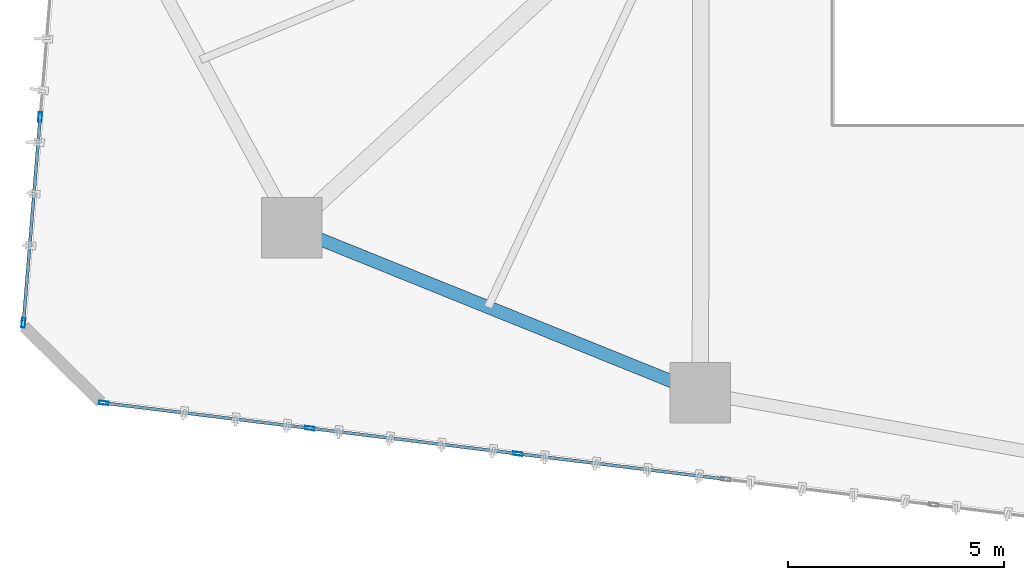
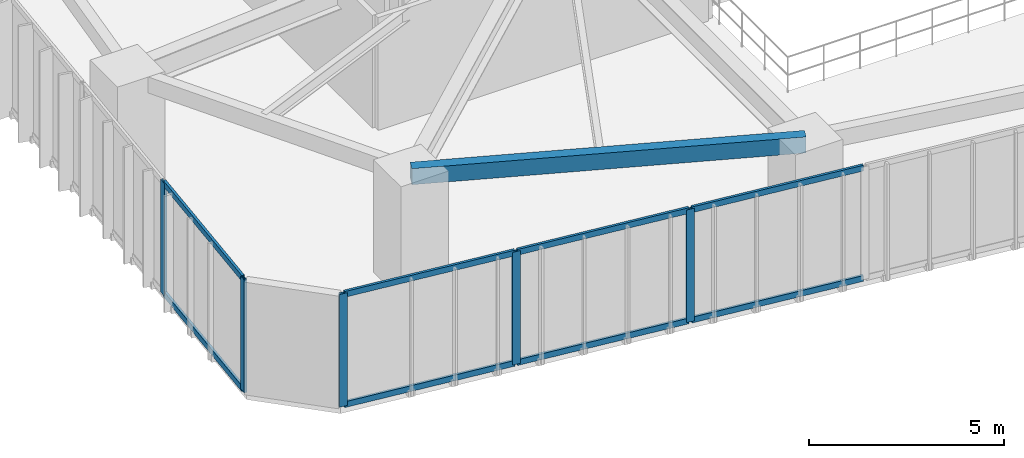
# One storey, part 2 of 23: 13 members, 1 beam, 2 elements without a shape of their own.
"""IFC4 building model written with IfcOpenShell, lengths in metres."""

from ifc_helpers import new_model, si_unit, direction, frame, origin, origin_2d, place, context, subcontext, project, spatial, hollow_rectangle, extrude, source, transform, mapped, material, layer, layer_set, material_profile, profile_set, type_object, type_shapes, element, aggregate, save


model = new_model("IFC4")

# Units and contexts
model_context = context("Model", 3, precision=1e-05, world=origin(), true_north=direction((0.0, 1.0)))
body_context = subcontext(model_context, "Body", "Model", "MODEL_VIEW")
ifc_project = project(units=[si_unit("LENGTHUNIT", "METRE"), si_unit("AREAUNIT", "SQUARE_METRE"), si_unit("VOLUMEUNIT", "CUBIC_METRE"), si_unit("PLANEANGLEUNIT", "RADIAN"), si_unit("MASSUNIT", "GRAM", prefix="KILO")], contexts=[model_context])

# Site, building, storey
site_placement = place(None, origin())
site = spatial("IfcSite", under=ifc_project, at=site_placement, CompositionType="ELEMENT")
building_placement = place(site_placement, origin())
building = spatial("IfcBuilding", under=site, at=building_placement, Name="Talar Marvaseh", CompositionType="ELEMENT")
storey_placement = place(building_placement, frame((0.0, 0.0, 69.60009765625)))
storey = spatial("IfcBuildingStorey", under=building, at=storey_placement, Name="L17", CompositionType="ELEMENT", Elevation=69.60009765625)

# Beam
ifc_material_1 = material(Name="Steel S355", Category="steel")
ifc_material_profile_1 = material_profile(ifc_material_1, hollow_rectangle(XDim=0.300048828125, YDim=0.5, WallThickness=0.02001953125, at=origin_2d()), Name="RHS500x300x20")
ifc_profile_set_1 = profile_set([ifc_material_profile_1], Name="Steel S355")
beam_type = type_object("IfcBeamType", Name="Zone 1 Perimeter Spandrel Beam RHS500x300x20", PredefinedType="SPANDREL", material=ifc_profile_set_1)
beam_placement = place(storey_placement, frame((18.68310546875, 12.97900390625, 3.27001953125), z_axis=(-0.927239278118, 0.374469386084, 0.0), x_axis=(-0.374469386084, -0.927239278118, 0.0)))
element("IfcBeam", 1, at=beam_placement, inside=storey, type_object=beam_type, Name="L17 Zone 1 Perimeter Spandrel Beam RHS500x300x20", PredefinedType="SPANDREL", context=body_context, shape_type="SweptSolid", body=[
    extrude(hollow_rectangle(XDim=0.300048828125, YDim=0.5, WallThickness=0.02001953125, at=origin_2d()), origin(), (0.0, 0.0, 1.0), 10.19287109375),
])

# Curtain wall, members
ifc_material_2 = material(Name="Architectural Aluminium", Category="aluminium")
ifc_layer = layer(ifc_material_2, 0.219970703125)
ifc_layer_set = layer_set([ifc_layer], Name="Architectural Aluminium")
curtain_wall_type = type_object("IfcCurtainWallType", Name="Unitised Low-E Museum Curtain Wall Z1", PredefinedType="NOTDEFINED", material=ifc_layer_set)
curtain_wall_1_placement = place(storey_placement, origin())
curtain_wall_1 = element("IfcCurtainWall", 2, at=curtain_wall_1_placement, inside=storey, type_object=curtain_wall_type, Name="L17 Unitised Low-E Museum Curtain Wall Z1", PredefinedType="NOTDEFINED")
ifc_material_profile_2 = material_profile(ifc_material_2, hollow_rectangle(XDim=0.080078125, YDim=0.219970703125, WallThickness=0.0048828125, at=origin_2d()), Name="RHS220x80x5")
ifc_profile_set_2 = profile_set([ifc_material_profile_2], Name="Architectural Aluminium")
member_type_1 = type_object("IfcMemberType", Name="Unitised Curtain Wall Heavy Mullion RHS220x80x5", PredefinedType="MULLION", material=ifc_profile_set_2)
shared_shape_1 = source(origin(), body_context, "Body", "SweptSolid", [
    extrude(hollow_rectangle(XDim=0.080078125, YDim=0.219970703125, WallThickness=0.0048828125, at=origin_2d()), origin(), (0.0, 0.0, 1.0), 3.52001953125),
])
type_shapes(member_type_1, [shared_shape_1])
member_1_placement = place(storey_placement, frame((3.02294921875, 14.599365234375, 0.0), z_axis=(0.0, 0.0, 1.0), x_axis=(-0.996703041053, 0.081135984349, 0.0)))
member_1 = element("IfcMember", 3, at=member_1_placement, type_object=member_type_1, Name="CW-Z1 mullion 1", PredefinedType="MULLION", context=body_context, shape_type="MappedRepresentation", body=[
    mapped(shared_shape_1, transform((0.0, 0.0, 0.0), x_axis=(1.0, 0.0, 0.0), y_axis=(0.0, 1.0, 0.0), z_axis=(0.0, 0.0, 1.0), scale=1.0)),
])
member_2_placement = place(storey_placement, frame((3.410400390625, 19.360107421875, 0.0), z_axis=(0.0, 0.0, 1.0), x_axis=(-0.996703041053, 0.081135984349, 0.0)))
member_2 = element("IfcMember", 4, at=member_2_placement, type_object=member_type_1, Name="CW-Z1 mullion 2", PredefinedType="MULLION", context=body_context, shape_type="MappedRepresentation", body=[
    mapped(shared_shape_1, transform((0.0, 0.0, 0.0), x_axis=(1.0, 0.0, 0.0), y_axis=(0.0, 1.0, 0.0), z_axis=(0.0, 0.0, 1.0), scale=1.0)),
])

curtain_wall_2_placement = place(storey_placement, origin())
curtain_wall_2 = element("IfcCurtainWall", 5, at=curtain_wall_2_placement, inside=storey, type_object=curtain_wall_type, Name="L17 Unitised Low-E Museum Curtain Wall Z1", PredefinedType="NOTDEFINED")
member_3_placement = place(storey_placement, frame((14.46044921875, 11.572021484375, 0.0), z_axis=(0.0, 0.0, 1.0), x_axis=(-0.121712736954, -0.992565367955, 0.0)))
member_3 = element("IfcMember", 6, at=member_3_placement, type_object=member_type_1, Name="CW-Z1 mullion 4", PredefinedType="MULLION", context=body_context, shape_type="MappedRepresentation", body=[
    mapped(shared_shape_1, transform((0.0, 0.0, 0.0), x_axis=(1.0, 0.0, 0.0), y_axis=(0.0, 1.0, 0.0), z_axis=(0.0, 0.0, 1.0), scale=1.0)),
])
member_4_placement = place(storey_placement, frame((9.651123046875, 12.161865234375, 0.0), z_axis=(0.0, 0.0, 1.0), x_axis=(-0.121712736954, -0.992565367955, 0.0)))
member_4 = element("IfcMember", 7, at=member_4_placement, type_object=member_type_1, Name="CW-Z1 mullion 5", PredefinedType="MULLION", context=body_context, shape_type="MappedRepresentation", body=[
    mapped(shared_shape_1, transform((0.0, 0.0, 0.0), x_axis=(1.0, 0.0, 0.0), y_axis=(0.0, 1.0, 0.0), z_axis=(0.0, 0.0, 1.0), scale=1.0)),
])
member_5_placement = place(storey_placement, frame((4.88134765625, 12.746826171875, 0.0), z_axis=(0.0, 0.0, 1.0), x_axis=(-0.121712736954, -0.992565367955, 0.0)))
member_5 = element("IfcMember", 8, at=member_5_placement, type_object=member_type_1, Name="CW-Z1 mullion 6", PredefinedType="MULLION", context=body_context, shape_type="MappedRepresentation", body=[
    mapped(shared_shape_1, transform((0.0, 0.0, 0.0), x_axis=(1.0, 0.0, 0.0), y_axis=(0.0, 1.0, 0.0), z_axis=(0.0, 0.0, 1.0), scale=1.0)),
])
ifc_material_profile_3 = material_profile(ifc_material_2, hollow_rectangle(XDim=0.074951171875, YDim=0.179931640625, WallThickness=0.0048828125, at=origin_2d()), Name="RHS180x75x5")
ifc_profile_set_3 = profile_set([ifc_material_profile_3], Name="Architectural Aluminium")
member_type_2 = type_object("IfcMemberType", Name="Unitised Curtain Wall Transom RHS180x75x5", PredefinedType="USERDEFINED", material=ifc_profile_set_3)
shared_shape_2 = source(origin(), body_context, "Body", "SweptSolid", [
    extrude(hollow_rectangle(XDim=0.074951171875, YDim=0.179931640625, WallThickness=0.0048828125, at=origin_2d()), origin(), (0.0, 0.0, 1.0), 4.725341796875),
])
member_6_placement = place(storey_placement, frame((9.611328125, 12.166748046875, 0.037353515625), z_axis=(-0.992563728983, 0.121726101998, 0.0), x_axis=(-0.121726101998, -0.992563728983, 0.0)))
member_6 = element("IfcMember", 9, at=member_6_placement, type_object=member_type_2, Name="CW-Z1 transom 5.1", ObjectType="TRANSOM", PredefinedType="USERDEFINED", context=body_context, shape_type="MappedRepresentation", body=[
    mapped(shared_shape_2, transform((0.0, 0.0, 0.0), x_axis=(1.0, 0.0, 0.0), y_axis=(0.0, 1.0, 0.0), z_axis=(0.0, 0.0, 1.0), scale=1.0)),
])
member_7_placement = place(storey_placement, frame((9.611328125, 12.166748046875, 3.482421875), z_axis=(-0.992563728983, 0.121726101998, 0.0), x_axis=(-0.121726101998, -0.992563728983, 0.0)))
member_7 = element("IfcMember", 10, at=member_7_placement, type_object=member_type_2, Name="CW-Z1 transom 5.2", ObjectType="TRANSOM", PredefinedType="USERDEFINED", context=body_context, shape_type="MappedRepresentation", body=[
    mapped(shared_shape_2, transform((0.0, 0.0, 0.0), x_axis=(1.0, 0.0, 0.0), y_axis=(0.0, 1.0, 0.0), z_axis=(0.0, 0.0, 1.0), scale=1.0)),
])
shared_shape_3 = source(origin(), body_context, "Body", "SweptSolid", [
    extrude(hollow_rectangle(XDim=0.074951171875, YDim=0.179931640625, WallThickness=0.0048828125, at=origin_2d()), origin(), (0.0, 0.0, 1.0), 4.765380859375),
])
member_8_placement = place(storey_placement, frame((19.22998046875, 10.9873046875, 0.037353515625), z_axis=(-0.992569855765, 0.121676133346, 0.0), x_axis=(-0.121676133346, -0.992569855765, 0.0)))
member_8 = element("IfcMember", 11, at=member_8_placement, type_object=member_type_2, Name="CW-Z1 transom 3.1", ObjectType="TRANSOM", PredefinedType="USERDEFINED", context=body_context, shape_type="MappedRepresentation", body=[
    mapped(shared_shape_3, transform((0.0, 0.0, 0.0), x_axis=(1.0, 0.0, 0.0), y_axis=(0.0, 1.0, 0.0), z_axis=(0.0, 0.0, 1.0), scale=1.0)),
])
member_9_placement = place(storey_placement, frame((19.22998046875, 10.9873046875, 3.482421875), z_axis=(-0.992569855765, 0.121676133346, 0.0), x_axis=(-0.121676133346, -0.992569855765, 0.0)))
member_9 = element("IfcMember", 12, at=member_9_placement, type_object=member_type_2, Name="CW-Z1 transom 3.2", ObjectType="TRANSOM", PredefinedType="USERDEFINED", context=body_context, shape_type="MappedRepresentation", body=[
    mapped(shared_shape_3, transform((0.0, 0.0, 0.0), x_axis=(1.0, 0.0, 0.0), y_axis=(0.0, 1.0, 0.0), z_axis=(0.0, 0.0, 1.0), scale=1.0)),
])
member_10_placement = place(storey_placement, frame((14.420654296875, 11.576904296875, 0.037353515625), z_axis=(-0.99256366712, 0.121726606435, 0.0), x_axis=(-0.121726606435, -0.99256366712, 0.0)))
member_10 = element("IfcMember", 13, at=member_10_placement, type_object=member_type_2, Name="CW-Z1 transom 4.1", ObjectType="TRANSOM", PredefinedType="USERDEFINED", context=body_context, shape_type="MappedRepresentation", body=[
    mapped(shared_shape_3, transform((0.0, 0.0, 0.0), x_axis=(1.0, 0.0, 0.0), y_axis=(0.0, 1.0, 0.0), z_axis=(0.0, 0.0, 1.0), scale=1.0)),
])
member_11_placement = place(storey_placement, frame((14.420654296875, 11.576904296875, 3.482421875), z_axis=(-0.99256366712, 0.121726606435, 0.0), x_axis=(-0.121726606435, -0.99256366712, 0.0)))
member_11 = element("IfcMember", 14, at=member_11_placement, type_object=member_type_2, Name="CW-Z1 transom 4.2", ObjectType="TRANSOM", PredefinedType="USERDEFINED", context=body_context, shape_type="MappedRepresentation", body=[
    mapped(shared_shape_3, transform((0.0, 0.0, 0.0), x_axis=(1.0, 0.0, 0.0), y_axis=(0.0, 1.0, 0.0), z_axis=(0.0, 0.0, 1.0), scale=1.0)),
])
aggregate(curtain_wall_2, [member_3, member_4, member_5, member_8, member_9, member_10, member_11, member_6, member_7])

# Member
shared_shape_4 = source(origin(), body_context, "Body", "SweptSolid", [
    extrude(hollow_rectangle(XDim=0.074951171875, YDim=0.179931640625, WallThickness=0.0048828125, at=origin_2d()), origin(), (0.0, 0.0, 1.0), 4.696533203125),
])
type_shapes(member_type_2, [shared_shape_2, shared_shape_3, shared_shape_4])
member_12_placement = place(storey_placement, frame((3.026123046875, 14.63916015625, 0.037353515625), z_axis=(0.081143863866, 0.996702399594, 0.0), x_axis=(-0.996702399594, 0.081143863866, 0.0)))
member_12 = element("IfcMember", 15, at=member_12_placement, type_object=member_type_2, Name="CW-Z1 transom 1.1", ObjectType="TRANSOM", PredefinedType="USERDEFINED", context=body_context, shape_type="MappedRepresentation", body=[
    mapped(shared_shape_4, transform((0.0, 0.0, 0.0), x_axis=(1.0, 0.0, 0.0), y_axis=(0.0, 1.0, 0.0), z_axis=(0.0, 0.0, 1.0), scale=1.0)),
])

member_13_placement = place(storey_placement, frame((3.026123046875, 14.63916015625, 3.482421875), z_axis=(0.081143863866, 0.996702399594, 0.0), x_axis=(-0.996702399594, 0.081143863866, 0.0)))
member_13 = element("IfcMember", 16, at=member_13_placement, type_object=member_type_2, Name="CW-Z1 transom 1.2", ObjectType="TRANSOM", PredefinedType="USERDEFINED", context=body_context, shape_type="MappedRepresentation", body=[
    mapped(shared_shape_4, transform((0.0, 0.0, 0.0), x_axis=(1.0, 0.0, 0.0), y_axis=(0.0, 1.0, 0.0), z_axis=(0.0, 0.0, 1.0), scale=1.0)),
])

aggregate(curtain_wall_1, [member_1, member_2, member_12, member_13])

save(model, "model.ifc")
